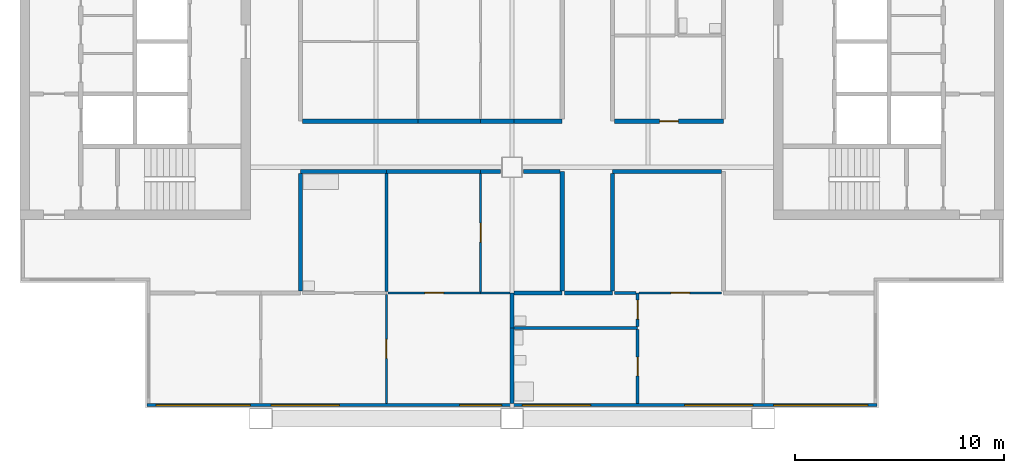
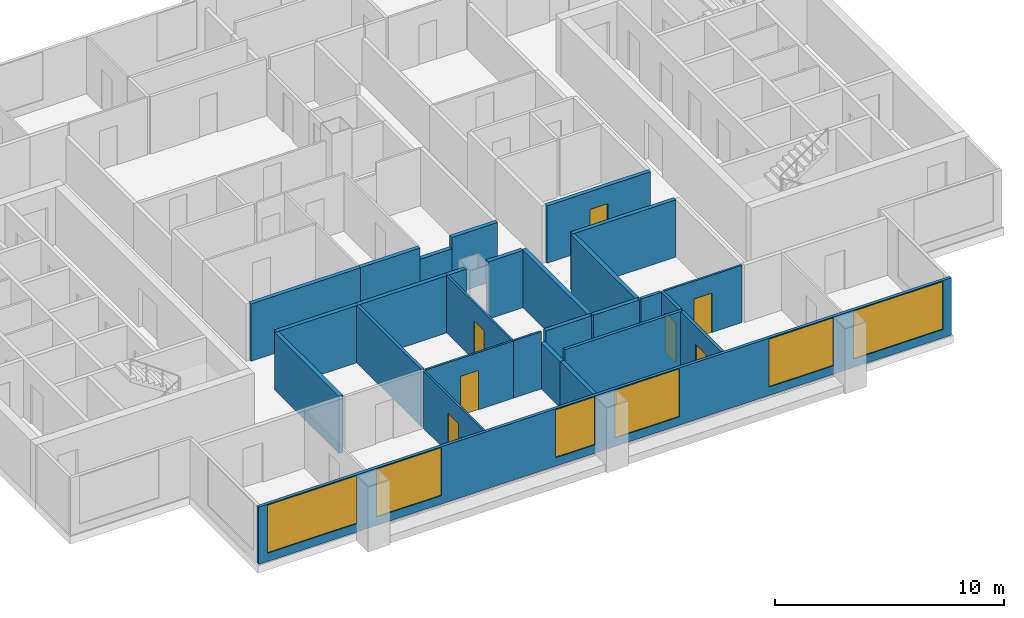
# One storey, part 2 of 9: 28 walls, 7 doors, 6 windows, 13 openings.
"""IFC4 building model written with IfcOpenShell, lengths in metres."""

from ifc_helpers import new_model, si_unit, direction, frame, frame_2d, origin, place, context, subcontext, project, spatial, rectangle, extrude, material, layer, layer_set, type_object, element, fill, save


model = new_model("IFC4")

# Units and contexts
model_context = context("Model", 3, precision=1e-05, world=origin(), true_north=direction((0.0, 1.0)))
body_context = subcontext(model_context, "Body", "Model", "MODEL_VIEW")
ifc_project = project(units=[si_unit("LENGTHUNIT", "METRE"), si_unit("AREAUNIT", "SQUARE_METRE"), si_unit("VOLUMEUNIT", "CUBIC_METRE"), si_unit("PLANEANGLEUNIT", "RADIAN"), si_unit("MASSUNIT", "GRAM", prefix="KILO")], contexts=[model_context])

# Site, building, storey
site_placement = place(None, origin())
site = spatial("IfcSite", under=ifc_project, at=site_placement, CompositionType="ELEMENT")
building_placement = place(site_placement, origin())
building = spatial("IfcBuilding", under=site, at=building_placement, Name="Kitamizu Gate Tower and Museum", CompositionType="ELEMENT")
storey_placement = place(building_placement, frame((0.0, 0.0, 224.85009765625)))
storey = spatial("IfcBuildingStorey", under=building, at=storey_placement, Name="L60", CompositionType="ELEMENT", Elevation=224.85009765625)

# Wall, opening, door
ifc_material_1 = material(Name="Gypsum board on galvanised stud")
ifc_layer_1 = layer(ifc_material_1, 0.10009765625)
ifc_layer_set_1 = layer_set([ifc_layer_1], Name="Gypsum board on galvanised stud")
wall_type_1 = type_object("IfcWallType", Name="Partition 100 NOT RATED", PredefinedType="PARTITIONING", material=ifc_layer_set_1)
wall_1_placement = place(storey_placement, frame((30.0, 12.719970703125, 0.0), z_axis=(0.0, 0.0, 1.0), x_axis=(0.0, 1.0, 0.0)))
wall_1 = element("IfcWall", 1, at=wall_1_placement, inside=storey, type_object=wall_type_1, Name="Partition L60-003", PredefinedType="PARTITIONING", context=body_context, shape_type="SweptSolid", body=[
    extrude(rectangle(XDim=5.205078125, YDim=0.10009765625, at=frame_2d((2.6025390625, 0.0))), origin(), (0.0, 0.0, 1.0), 3.0498046875),
])
opening_1_placement = place(wall_1_placement, frame((2.152587890625, 0.0, 0.0)))
opening_1 = element("IfcOpeningElement", 2, at=opening_1_placement, cuts=wall_1, Name="Opening L60-003", PredefinedType="OPENING", context=body_context, shape_type="SweptSolid", body=[
    extrude(rectangle(XDim=0.89990234375, YDim=2.10009765625, at=frame_2d((0.449951171875, 1.050048828125))), frame((0.0, 0.06005859375, 0.0), z_axis=(0.0, -1.0, 0.0), x_axis=(1.0, 0.0, 0.0)), (0.0, 0.0, 1.0), 0.1201171875),
])
ifc_material_2 = material(Name="Timber door set", Category="wood")
door_type_1 = type_object("IfcDoorType", Name="Room door 900", OperationType="NOTDEFINED", PredefinedType="DOOR", material=ifc_material_2)
door_1_placement = place(opening_1_placement, origin())
door_1 = element("IfcDoor", 3, at=door_1_placement, inside=storey, type_object=door_type_1, Name="Door L60-003", OperationType="SINGLE_SWING_RIGHT", OverallHeight=2.10009765625, OverallWidth=0.89990234375, PredefinedType="DOOR", context=body_context, shape_type="SweptSolid", body=[
    extrude(rectangle(XDim=0.89990234375, YDim=2.10009765625, at=frame_2d((0.449951171875, 1.050048828125))), frame((0.0, 0.02490234375, 0.0), z_axis=(0.0, -1.0, 0.0), x_axis=(1.0, 0.0, 0.0)), (0.0, 0.0, 1.0), 0.050048828125),
])
fill(opening_1, door_1)

wall_2_placement = place(storey_placement, frame((34.5, 18.0, 0.0), z_axis=(0.0, 0.0, 1.0), x_axis=(-1.0, 0.0, 0.0)))
wall_2 = element("IfcWall", 4, at=wall_2_placement, inside=storey, type_object=wall_type_1, Name="Partition L60-006", PredefinedType="PARTITIONING", context=body_context, shape_type="SweptSolid", body=[
    extrude(rectangle(XDim=4.425048828125, YDim=0.10009765625, at=frame_2d((2.21240234375, 0.0))), origin(), (0.0, 0.0, 1.0), 3.0498046875),
])
opening_2_placement = place(wall_2_placement, frame((1.762451171875, 0.0, 0.0)))
opening_2 = element("IfcOpeningElement", 5, at=opening_2_placement, cuts=wall_2, Name="Opening L60-005", PredefinedType="OPENING", context=body_context, shape_type="SweptSolid", body=[
    extrude(rectangle(XDim=0.89990234375, YDim=2.10009765625, at=frame_2d((0.449951171875, 1.050048828125))), frame((0.0, 0.06005859375, 0.0), z_axis=(0.0, -1.0, 0.0), x_axis=(1.0, 0.0, 0.0)), (0.0, 0.0, 1.0), 0.1201171875),
])
door_2_placement = place(opening_2_placement, frame((0.89990234375, 0.0, 0.0), x_axis=(-1.0, 0.0, 0.0)))
door_2 = element("IfcDoor", 6, at=door_2_placement, inside=storey, type_object=door_type_1, Name="Door L60-005", OperationType="SINGLE_SWING_LEFT", OverallHeight=2.10009765625, OverallWidth=0.89990234375, PredefinedType="DOOR", context=body_context, shape_type="SweptSolid", body=[
    extrude(rectangle(XDim=0.89990234375, YDim=2.10009765625, at=frame_2d((0.449951171875, 1.050048828125))), frame((0.0, 0.02490234375, 0.0), z_axis=(0.0, -1.0, 0.0), x_axis=(1.0, 0.0, 0.0)), (0.0, 0.0, 1.0), 0.050048828125),
])
fill(opening_2, door_2)

# Wall
wall_3_placement = place(storey_placement, frame((35.89990234375, 18.0, 0.0), z_axis=(0.0, 0.0, 1.0), x_axis=(-1.0, 0.0, 0.0)))
element("IfcWall", 7, at=wall_3_placement, inside=storey, type_object=wall_type_1, Name="Partition L60-007", PredefinedType="PARTITIONING", context=body_context, shape_type="SweptSolid", body=[
    extrude(rectangle(XDim=1.39990234375, YDim=0.10009765625, at=frame_2d((0.699951171875, 0.0))), origin(), (0.0, 0.0, 1.0), 3.0498046875),
])

# Wall, opening, door
wall_4_placement = place(storey_placement, frame((34.5, 18.050048828125, 0.0), z_axis=(0.0, 0.0, 1.0), x_axis=(0.0, 1.0, 0.0)))
wall_4 = element("IfcWall", 8, at=wall_4_placement, inside=storey, type_object=wall_type_1, Name="Partition L60-013", PredefinedType="PARTITIONING", context=body_context, shape_type="SweptSolid", body=[
    extrude(rectangle(XDim=5.64990234375, YDim=0.10009765625, at=frame_2d((2.824951171875, 0.0))), origin(), (0.0, 0.0, 1.0), 3.0498046875),
])
opening_3_placement = place(wall_4_placement, frame((2.375, 0.0, 0.0)))
opening_3 = element("IfcOpeningElement", 9, at=opening_3_placement, cuts=wall_4, Name="Opening L60-006", PredefinedType="OPENING", context=body_context, shape_type="SweptSolid", body=[
    extrude(rectangle(XDim=0.89990234375, YDim=2.10009765625, at=frame_2d((0.449951171875, 1.050048828125))), frame((0.0, 0.06005859375, 0.0), z_axis=(0.0, -1.0, 0.0), x_axis=(1.0, 0.0, 0.0)), (0.0, 0.0, 1.0), 0.1201171875),
])
door_3_placement = place(opening_3_placement, frame((0.89990234375, 0.0, 0.0), x_axis=(-1.0, 0.0, 0.0)))
door_3 = element("IfcDoor", 10, at=door_3_placement, inside=storey, type_object=door_type_1, Name="Door L60-006", OperationType="SINGLE_SWING_RIGHT", OverallHeight=2.10009765625, OverallWidth=0.89990234375, PredefinedType="DOOR", context=body_context, shape_type="SweptSolid", body=[
    extrude(rectangle(XDim=0.89990234375, YDim=2.10009765625, at=frame_2d((0.449951171875, 1.050048828125))), frame((0.0, 0.02490234375, 0.0), z_axis=(0.0, -1.0, 0.0), x_axis=(1.0, 0.0, 0.0)), (0.0, 0.0, 1.0), 0.050048828125),
])
fill(opening_3, door_3)

wall_5_placement = place(storey_placement, frame((46.0, 18.0, 0.0), z_axis=(0.0, 0.0, 1.0), x_axis=(-1.0, 0.0, 0.0)))
wall_5 = element("IfcWall", 11, at=wall_5_placement, inside=storey, type_object=wall_type_1, Name="Partition L60-025", PredefinedType="PARTITIONING", context=body_context, shape_type="SweptSolid", body=[
    extrude(rectangle(XDim=3.925048828125, YDim=0.10009765625, at=frame_2d((1.96240234375, 0.0))), origin(), (0.0, 0.0, 1.0), 3.0498046875),
])
opening_4_placement = place(wall_5_placement, frame((1.512451171875, 0.0, 0.0)))
opening_4 = element("IfcOpeningElement", 12, at=opening_4_placement, cuts=wall_5, Name="Opening L60-009", PredefinedType="OPENING", context=body_context, shape_type="SweptSolid", body=[
    extrude(rectangle(XDim=0.89990234375, YDim=2.10009765625, at=frame_2d((0.449951171875, 1.050048828125))), frame((0.0, 0.06005859375, 0.0), z_axis=(0.0, -1.0, 0.0), x_axis=(1.0, 0.0, 0.0)), (0.0, 0.0, 1.0), 0.1201171875),
])
door_4_placement = place(opening_4_placement, frame((0.89990234375, 0.0, 0.0), x_axis=(-1.0, 0.0, 0.0)))
door_4 = element("IfcDoor", 13, at=door_4_placement, inside=storey, type_object=door_type_1, Name="Door L60-009", OperationType="SINGLE_SWING_LEFT", OverallHeight=2.10009765625, OverallWidth=0.89990234375, PredefinedType="DOOR", context=body_context, shape_type="SweptSolid", body=[
    extrude(rectangle(XDim=0.89990234375, YDim=2.10009765625, at=frame_2d((0.449951171875, 1.050048828125))), frame((0.0, 0.02490234375, 0.0), z_axis=(0.0, -1.0, 0.0), x_axis=(1.0, 0.0, 0.0)), (0.0, 0.0, 1.0), 0.050048828125),
])
fill(opening_4, door_4)

# Walls
ifc_material_3 = material(Name="Gypsum board on galvanised stud")
ifc_layer_2 = layer(ifc_material_3, 0.14990234375)
ifc_layer_set_2 = layer_set([ifc_layer_2], Name="Gypsum board on galvanised stud")
wall_type_2 = type_object("IfcWallType", Name="Partition 150", PredefinedType="PARTITIONING", material=ifc_layer_set_2)
wall_6_placement = place(storey_placement, frame((30.0, 18.074951171875, 0.0), z_axis=(0.0, 0.0, 1.0), x_axis=(0.0, 1.0, 0.0)))
element("IfcWall", 14, at=wall_6_placement, inside=storey, type_object=wall_type_2, Name="Partition L60-010", PredefinedType="PARTITIONING", context=body_context, shape_type="SweptSolid", body=[
    extrude(rectangle(XDim=5.625, YDim=0.14990234375, at=frame_2d((2.8125, 0.0))), origin(), (0.0, 0.0, 1.0), 3.0498046875),
])
wall_7_placement = place(storey_placement, frame((42.0, 16.320068359375, 0.0), z_axis=(0.0, 0.0, 1.0), x_axis=(-1.0, 0.0, 0.0)))
element("IfcWall", 15, at=wall_7_placement, inside=storey, type_object=wall_type_2, Name="Partition L60-019", PredefinedType="PARTITIONING", context=body_context, shape_type="SweptSolid", body=[
    extrude(rectangle(XDim=5.89990234375, YDim=0.14990234375, at=frame_2d((2.949951171875, 0.0))), origin(), (0.0, 0.0, 1.0), 3.0498046875),
])

# Wall, opening, door
wall_8_placement = place(storey_placement, frame((42.0, 12.719970703125, 0.0), z_axis=(0.0, 0.0, 1.0), x_axis=(0.0, 1.0, 0.0)))
wall_8 = element("IfcWall", 16, at=wall_8_placement, inside=storey, type_object=wall_type_2, Name="Partition L60-020", PredefinedType="PARTITIONING", context=body_context, shape_type="SweptSolid", body=[
    extrude(rectangle(XDim=3.525146484375, YDim=0.14990234375, at=frame_2d((1.7626953125, 0.0))), origin(), (0.0, 0.0, 1.0), 3.0498046875),
])
opening_5_placement = place(wall_8_placement, frame((1.3125, 0.0, 0.0)))
opening_5 = element("IfcOpeningElement", 17, at=opening_5_placement, cuts=wall_8, Name="Opening L60-010", PredefinedType="OPENING", context=body_context, shape_type="SweptSolid", body=[
    extrude(rectangle(XDim=0.89990234375, YDim=2.10009765625, at=frame_2d((0.449951171875, 1.050048828125))), frame((0.0, 0.0849609375, 0.0), z_axis=(0.0, -1.0, 0.0), x_axis=(1.0, 0.0, 0.0)), (0.0, 0.0, 1.0), 0.169921875),
])
ifc_material_4 = material(Name="Timber door set", Category="wood")
door_type_2 = type_object("IfcDoorType", Name="Bathroom door 900", OperationType="NOTDEFINED", PredefinedType="DOOR", material=ifc_material_4)
door_5_placement = place(opening_5_placement, origin())
door_5 = element("IfcDoor", 18, at=door_5_placement, inside=storey, type_object=door_type_2, Name="Bathroom door L60-010", OperationType="SINGLE_SWING_LEFT", OverallHeight=2.10009765625, OverallWidth=0.89990234375, PredefinedType="DOOR", context=body_context, shape_type="SweptSolid", body=[
    extrude(rectangle(XDim=0.89990234375, YDim=2.10009765625, at=frame_2d((0.449951171875, 1.050048828125))), frame((0.0, 0.02490234375, 0.0), z_axis=(0.0, -1.0, 0.0), x_axis=(1.0, 0.0, 0.0)), (0.0, 0.0, 1.0), 0.050048828125),
])
fill(opening_5, door_5)

wall_9_placement = place(storey_placement, frame((42.0, 16.39501953125, 0.0), z_axis=(0.0, 0.0, 1.0), x_axis=(0.0, 1.0, 0.0)))
wall_9 = element("IfcWall", 19, at=wall_9_placement, inside=storey, type_object=wall_type_2, Name="Partition L60-021", PredefinedType="PARTITIONING", context=body_context, shape_type="SweptSolid", body=[
    extrude(rectangle(XDim=1.60498046875, YDim=0.14990234375, at=frame_2d((0.802490234375, 0.0))), origin(), (0.0, 0.0, 1.0), 3.0498046875),
])
opening_6_placement = place(wall_9_placement, frame((0.3525390625, 0.0, 0.0)))
opening_6 = element("IfcOpeningElement", 20, at=opening_6_placement, cuts=wall_9, Name="Opening L60-011", PredefinedType="OPENING", context=body_context, shape_type="SweptSolid", body=[
    extrude(rectangle(XDim=0.89990234375, YDim=2.10009765625, at=frame_2d((0.449951171875, 1.050048828125))), frame((0.0, 0.0849609375, 0.0), z_axis=(0.0, -1.0, 0.0), x_axis=(1.0, 0.0, 0.0)), (0.0, 0.0, 1.0), 0.169921875),
])
door_6_placement = place(opening_6_placement, origin())
door_6 = element("IfcDoor", 21, at=door_6_placement, inside=storey, type_object=door_type_2, Name="Bathroom door L60-011", OperationType="SINGLE_SWING_RIGHT", OverallHeight=2.10009765625, OverallWidth=0.89990234375, PredefinedType="DOOR", context=body_context, shape_type="SweptSolid", body=[
    extrude(rectangle(XDim=0.89990234375, YDim=2.10009765625, at=frame_2d((0.449951171875, 1.050048828125))), frame((0.0, 0.02490234375, 0.0), z_axis=(0.0, -1.0, 0.0), x_axis=(1.0, 0.0, 0.0)), (0.0, 0.0, 1.0), 0.050048828125),
])
fill(opening_6, door_6)

# Walls
wall_10_placement = place(storey_placement, frame((41.925048828125, 18.0, 0.0), z_axis=(0.0, 0.0, 1.0), x_axis=(-1.0, 0.0, 0.0)))
element("IfcWall", 22, at=wall_10_placement, inside=storey, type_object=wall_type_2, Name="Partition L60-022", PredefinedType="PARTITIONING", context=body_context, shape_type="SweptSolid", body=[
    extrude(rectangle(XDim=1.025146484375, YDim=0.14990234375, at=frame_2d((0.5126953125, 0.0))), origin(), (0.0, 0.0, 1.0), 3.0498046875),
])
ifc_material_5 = material(Name="Gypsum board on galvanised stud")
ifc_layer_3 = layer(ifc_material_5, 0.199951171875)
ifc_layer_set_3 = layer_set([ifc_layer_3], Name="Gypsum board on galvanised stud")
wall_type_3 = type_object("IfcWallType", Name="Partition 200", PredefinedType="PARTITIONING", material=ifc_layer_set_3)
wall_11_placement = place(storey_placement, frame((36.0, 12.719970703125, 0.0), z_axis=(0.0, 0.0, 1.0), x_axis=(0.0, 1.0, 0.0)))
element("IfcWall", 23, at=wall_11_placement, inside=storey, type_object=wall_type_3, Name="Partition L60-008", PredefinedType="PARTITIONING", context=body_context, shape_type="SweptSolid", body=[
    extrude(rectangle(XDim=3.60009765625, YDim=0.199951171875, at=frame_2d((1.800048828125, 0.0))), origin(), (0.0, 0.0, 1.0), 2.449951171875),
])
wall_12_placement = place(storey_placement, frame((36.0, 16.320068359375, 0.0), z_axis=(0.0, 0.0, 1.0), x_axis=(0.0, 1.0, 0.0)))
element("IfcWall", 24, at=wall_12_placement, inside=storey, type_object=wall_type_3, Name="Partition L60-009", PredefinedType="PARTITIONING", context=body_context, shape_type="SweptSolid", body=[
    extrude(rectangle(XDim=1.679931640625, YDim=0.199951171875, at=frame_2d((0.83984375, 0.0))), origin(), (0.0, 0.0, 1.0), 2.449951171875),
])
wall_13_placement = place(storey_placement, frame((30.0, 23.800048828125, 0.0), z_axis=(0.0, 0.0, 1.0), x_axis=(-1.0, 0.0, 0.0)))
element("IfcWall", 25, at=wall_13_placement, inside=storey, type_object=wall_type_3, Name="Partition L60-011", PredefinedType="PARTITIONING", context=body_context, shape_type="SweptSolid", body=[
    extrude(rectangle(XDim=4.10009765625, YDim=0.199951171875, at=frame_2d((2.050048828125, 0.0))), origin(), (0.0, 0.0, 1.0), 3.0498046875),
])
wall_14_placement = place(storey_placement, frame((25.89990234375, 23.699951171875, 0.0), z_axis=(0.0, 0.0, 1.0), x_axis=(0.0, -1.0, 0.0)))
element("IfcWall", 26, at=wall_14_placement, inside=storey, type_object=wall_type_3, Name="Partition L60-012", PredefinedType="PARTITIONING", context=body_context, shape_type="SweptSolid", body=[
    extrude(rectangle(XDim=5.599853515625, YDim=0.199951171875, at=frame_2d((2.7998046875, 0.0))), origin(), (0.0, 0.0, 1.0), 3.0498046875),
])
wall_15_placement = place(storey_placement, frame((34.5, 23.800048828125, 0.0), z_axis=(0.0, 0.0, 1.0), x_axis=(-1.0, 0.0, 0.0)))
element("IfcWall", 27, at=wall_15_placement, inside=storey, type_object=wall_type_3, Name="Partition L60-014", PredefinedType="PARTITIONING", context=body_context, shape_type="SweptSolid", body=[
    extrude(rectangle(XDim=4.5, YDim=0.199951171875, at=frame_2d((2.25, 0.0))), origin(), (0.0, 0.0, 1.0), 3.0498046875),
])
wall_16_placement = place(storey_placement, frame((36.10009765625, 18.0, 0.0), z_axis=(0.0, 0.0, 1.0), x_axis=(1.0, 0.0, 0.0)))
element("IfcWall", 28, at=wall_16_placement, inside=storey, type_object=wall_type_3, Name="Partition L60-015", PredefinedType="PARTITIONING", context=body_context, shape_type="SweptSolid", body=[
    extrude(rectangle(XDim=2.2998046875, YDim=0.199951171875, at=frame_2d((1.14990234375, 0.0))), origin(), (0.0, 0.0, 1.0), 3.0498046875),
])
wall_17_placement = place(storey_placement, frame((35.449951171875, 23.800048828125, 0.0), z_axis=(0.0, 0.0, 1.0), x_axis=(-1.0, 0.0, 0.0)))
element("IfcWall", 29, at=wall_17_placement, inside=storey, type_object=wall_type_3, Name="Partition L60-016", PredefinedType="PARTITIONING", context=body_context, shape_type="SweptSolid", body=[
    extrude(rectangle(XDim=0.949951171875, YDim=0.199951171875, at=frame_2d((0.47509765625, 0.0))), origin(), (0.0, 0.0, 1.0), 3.0498046875),
])
wall_18_placement = place(storey_placement, frame((38.39990234375, 18.10009765625, 0.0), z_axis=(0.0, 0.0, 1.0), x_axis=(0.0, 1.0, 0.0)))
element("IfcWall", 30, at=wall_18_placement, inside=storey, type_object=wall_type_3, Name="Partition L60-017", PredefinedType="PARTITIONING", context=body_context, shape_type="SweptSolid", body=[
    extrude(rectangle(XDim=5.699951171875, YDim=0.199951171875, at=frame_2d((2.85009765625, 0.0))), origin(), (0.0, 0.0, 1.0), 3.0498046875),
])
wall_19_placement = place(storey_placement, frame((38.300048828125, 23.800048828125, 0.0), z_axis=(0.0, 0.0, 1.0), x_axis=(-1.0, 0.0, 0.0)))
element("IfcWall", 31, at=wall_19_placement, inside=storey, type_object=wall_type_3, Name="Partition L60-018", PredefinedType="PARTITIONING", context=body_context, shape_type="SweptSolid", body=[
    extrude(rectangle(XDim=1.75, YDim=0.199951171875, at=frame_2d((0.875, 0.0))), origin(), (0.0, 0.0, 1.0), 3.0498046875),
])
wall_20_placement = place(storey_placement, frame((40.800048828125, 18.0, 0.0), z_axis=(0.0, 0.0, 1.0), x_axis=(-1.0, 0.0, 0.0)))
element("IfcWall", 32, at=wall_20_placement, inside=storey, type_object=wall_type_3, Name="Partition L60-023", PredefinedType="PARTITIONING", context=body_context, shape_type="SweptSolid", body=[
    extrude(rectangle(XDim=2.300048828125, YDim=0.199951171875, at=frame_2d((1.14990234375, 0.0))), origin(), (0.0, 0.0, 1.0), 3.0498046875),
])
wall_21_placement = place(storey_placement, frame((46.0, 23.800048828125, 0.0), z_axis=(0.0, 0.0, 1.0), x_axis=(-1.0, 0.0, 0.0)))
element("IfcWall", 33, at=wall_21_placement, inside=storey, type_object=wall_type_3, Name="Partition L60-029", PredefinedType="PARTITIONING", context=body_context, shape_type="SweptSolid", body=[
    extrude(rectangle(XDim=5.199951171875, YDim=0.199951171875, at=frame_2d((2.60009765625, 0.0))), origin(), (0.0, 0.0, 1.0), 3.0498046875),
])
wall_22_placement = place(storey_placement, frame((40.800048828125, 23.699951171875, 0.0), z_axis=(0.0, 0.0, 1.0), x_axis=(0.0, -1.0, 0.0)))
element("IfcWall", 34, at=wall_22_placement, inside=storey, type_object=wall_type_3, Name="Partition L60-030", PredefinedType="PARTITIONING", context=body_context, shape_type="SweptSolid", body=[
    extrude(rectangle(XDim=5.599853515625, YDim=0.199951171875, at=frame_2d((2.7998046875, 0.0))), origin(), (0.0, 0.0, 1.0), 3.0498046875),
])
wall_23_placement = place(storey_placement, frame((26.0, 26.199951171875, 0.0), z_axis=(0.0, 0.0, 1.0), x_axis=(1.0, 0.0, 0.0)))
element("IfcWall", 35, at=wall_23_placement, inside=storey, type_object=wall_type_3, Name="Partition L60-063", PredefinedType="PARTITIONING", context=body_context, shape_type="SweptSolid", body=[
    extrude(rectangle(XDim=5.5, YDim=0.199951171875, at=frame_2d((2.75, 0.0))), origin(), (0.0, 0.0, 1.0), 3.0498046875),
])
wall_24_placement = place(storey_placement, frame((31.5, 26.199951171875, 0.0), z_axis=(0.0, 0.0, 1.0), x_axis=(1.0, 0.0, 0.0)))
element("IfcWall", 36, at=wall_24_placement, inside=storey, type_object=wall_type_3, Name="Partition L60-067", PredefinedType="PARTITIONING", context=body_context, shape_type="SweptSolid", body=[
    extrude(rectangle(XDim=3.0, YDim=0.199951171875, at=frame_2d((1.5, 0.0))), origin(), (0.0, 0.0, 1.0), 3.0498046875),
])
wall_25_placement = place(storey_placement, frame((34.5, 26.199951171875, 0.0), z_axis=(0.0, 0.0, 1.0), x_axis=(1.0, 0.0, 0.0)))
element("IfcWall", 37, at=wall_25_placement, inside=storey, type_object=wall_type_3, Name="Partition L60-068", PredefinedType="PARTITIONING", context=body_context, shape_type="SweptSolid", body=[
    extrude(rectangle(XDim=1.60009765625, YDim=0.199951171875, at=frame_2d((0.800048828125, 0.0))), origin(), (0.0, 0.0, 1.0), 2.449951171875),
])
wall_26_placement = place(storey_placement, frame((36.10009765625, 26.199951171875, 0.0), z_axis=(0.0, 0.0, 1.0), x_axis=(1.0, 0.0, 0.0)))
element("IfcWall", 38, at=wall_26_placement, inside=storey, type_object=wall_type_3, Name="Partition L60-069", PredefinedType="PARTITIONING", context=body_context, shape_type="SweptSolid", body=[
    extrude(rectangle(XDim=2.2998046875, YDim=0.199951171875, at=frame_2d((1.14990234375, 0.0))), origin(), (0.0, 0.0, 1.0), 3.0498046875),
])

# Wall, opening, door
wall_27_placement = place(storey_placement, frame((40.89990234375, 26.199951171875, 0.0), z_axis=(0.0, 0.0, 1.0), x_axis=(1.0, 0.0, 0.0)))
wall_27 = element("IfcWall", 39, at=wall_27_placement, inside=storey, type_object=wall_type_3, Name="Partition L60-093", PredefinedType="PARTITIONING", context=body_context, shape_type="SweptSolid", body=[
    extrude(rectangle(XDim=5.2001953125, YDim=0.199951171875, at=frame_2d((2.60009765625, 0.0))), origin(), (0.0, 0.0, 1.0), 3.0498046875),
])
opening_7_placement = place(wall_27_placement, frame((2.14990234375, 0.0, 0.0)))
opening_7 = element("IfcOpeningElement", 40, at=opening_7_placement, cuts=wall_27, Name="Opening L60-033", PredefinedType="OPENING", context=body_context, shape_type="SweptSolid", body=[
    extrude(rectangle(XDim=0.89990234375, YDim=2.10009765625, at=frame_2d((0.449951171875, 1.050048828125))), frame((0.0, 0.10986328125, 0.0), z_axis=(0.0, -1.0, 0.0), x_axis=(1.0, 0.0, 0.0)), (0.0, 0.0, 1.0), 0.219970703125),
])
ifc_material_6 = material(Name="Timber door set", Category="wood")
door_type_3 = type_object("IfcDoorType", Name="Store door 900", OperationType="NOTDEFINED", PredefinedType="DOOR", material=ifc_material_6)
door_7_placement = place(opening_7_placement, origin())
door_7 = element("IfcDoor", 41, at=door_7_placement, inside=storey, type_object=door_type_3, Name="Service entrance door L60-033", OperationType="SINGLE_SWING_LEFT", OverallHeight=2.10009765625, OverallWidth=0.89990234375, PredefinedType="DOOR", context=body_context, shape_type="SweptSolid", body=[
    extrude(rectangle(XDim=0.89990234375, YDim=2.10009765625, at=frame_2d((0.449951171875, 1.050048828125))), frame((0.0, 0.02490234375, 0.0), z_axis=(0.0, -1.0, 0.0), x_axis=(1.0, 0.0, 0.0)), (0.0, 0.0, 1.0), 0.050048828125),
])
fill(opening_7, door_7)

# Wall, openings, windows
ifc_material_7 = material(Name="Bronze anodised aluminium frame with insulated spandrel and tinted glass", Category="aluminium")
ifc_layer_4 = layer(ifc_material_7, 0.14990234375)
ifc_layer_set_4 = layer_set([ifc_layer_4], Name="Bronze anodised aluminium frame with insulated spandrel and tinted glass")
wall_type_4 = type_object("IfcWallType", Name="WINDOW WALL 150 BRONZE FRAME EI 30", PredefinedType="ELEMENTEDWALL", material=ifc_layer_set_4)
wall_28_placement = place(storey_placement, frame((18.56005859375, 12.635009765625, 0.0), z_axis=(0.0, 0.0, 1.0), x_axis=(1.0, 0.0, 0.0)))
wall_28 = element("IfcWall", 42, at=wall_28_placement, inside=storey, type_object=wall_type_4, Name="Window wall south L60", PredefinedType="ELEMENTEDWALL", context=body_context, shape_type="SweptSolid", body=[
    extrude(rectangle(XDim=34.8798828125, YDim=0.14990234375, at=frame_2d((17.43994140625, 0.0))), origin(), (0.0, 0.0, 1.0), 3.0498046875),
])
opening_8_placement = place(wall_28_placement, frame((0.43994140625, 0.0, 0.449951171875)))
opening_8 = element("IfcOpeningElement", 43, at=opening_8_placement, cuts=wall_28, Name="Opening W15", PredefinedType="OPENING", context=body_context, shape_type="SweptSolid", body=[
    extrude(rectangle(XDim=4.5, YDim=2.550048828125, at=frame_2d((2.25, 1.27490234375))), frame((0.0, 0.0849609375, 0.0), z_axis=(0.0, -1.0, 0.0), x_axis=(1.0, 0.0, 0.0)), (0.0, 0.0, 1.0), 0.169921875),
])
opening_9_placement = place(wall_28_placement, frame((5.93994140625, 0.0, 0.449951171875)))
opening_9 = element("IfcOpeningElement", 44, at=opening_9_placement, cuts=wall_28, Name="Opening W34", PredefinedType="OPENING", context=body_context, shape_type="SweptSolid", body=[
    extrude(rectangle(XDim=3.25, YDim=2.550048828125, at=frame_2d((1.625, 1.27490234375))), frame((0.0, 0.0849609375, 0.0), z_axis=(0.0, -1.0, 0.0), x_axis=(1.0, 0.0, 0.0)), (0.0, 0.0, 1.0), 0.169921875),
])
opening_10_placement = place(wall_28_placement, frame((14.93994140625, 0.0, 0.449951171875)))
opening_10 = element("IfcOpeningElement", 45, at=opening_10_placement, cuts=wall_28, Name="Opening W2", PredefinedType="OPENING", context=body_context, shape_type="SweptSolid", body=[
    extrude(rectangle(XDim=2.0, YDim=2.550048828125, at=frame_2d((1.0, 1.27490234375))), frame((0.0, 0.0849609375, 0.0), z_axis=(0.0, -1.0, 0.0), x_axis=(1.0, 0.0, 0.0)), (0.0, 0.0, 1.0), 0.169921875),
])
opening_11_placement = place(wall_28_placement, frame((17.93994140625, 0.0, 0.449951171875)))
opening_11 = element("IfcOpeningElement", 46, at=opening_11_placement, cuts=wall_28, Name="Opening W34", PredefinedType="OPENING", context=body_context, shape_type="SweptSolid", body=[
    extrude(rectangle(XDim=3.25, YDim=2.550048828125, at=frame_2d((1.625, 1.27490234375))), frame((0.0, 0.0849609375, 0.0), z_axis=(0.0, -1.0, 0.0), x_axis=(1.0, 0.0, 0.0)), (0.0, 0.0, 1.0), 0.169921875),
])
opening_12_placement = place(wall_28_placement, frame((25.68994140625, 0.0, 0.449951171875)))
opening_12 = element("IfcOpeningElement", 47, at=opening_12_placement, cuts=wall_28, Name="Opening W34", PredefinedType="OPENING", context=body_context, shape_type="SweptSolid", body=[
    extrude(rectangle(XDim=3.25, YDim=2.550048828125, at=frame_2d((1.625, 1.27490234375))), frame((0.0, 0.0849609375, 0.0), z_axis=(0.0, -1.0, 0.0), x_axis=(1.0, 0.0, 0.0)), (0.0, 0.0, 1.0), 0.169921875),
])
opening_13_placement = place(wall_28_placement, frame((29.93994140625, 0.0, 0.449951171875)))
opening_13 = element("IfcOpeningElement", 48, at=opening_13_placement, cuts=wall_28, Name="Opening W15", PredefinedType="OPENING", context=body_context, shape_type="SweptSolid", body=[
    extrude(rectangle(XDim=4.5, YDim=2.550048828125, at=frame_2d((2.25, 1.27490234375))), frame((0.0, 0.0849609375, 0.0), z_axis=(0.0, -1.0, 0.0), x_axis=(1.0, 0.0, 0.0)), (0.0, 0.0, 1.0), 0.169921875),
])
ifc_material_8 = material(Name="Bronze anodised aluminium frame, tinted triple glazing", Category="aluminium")
window_type_1 = type_object("IfcWindowType", Name="WINDOW 2000 x 2550 SILL 450", PartitioningType="SINGLE_PANEL", PredefinedType="WINDOW", material=ifc_material_8)
window_1_placement = place(opening_10_placement, origin())
window_1 = element("IfcWindow", 49, at=window_1_placement, inside=storey, type_object=window_type_1, Name="Window W2 L60", OverallHeight=2.550048828125, OverallWidth=2.0, PartitioningType="SINGLE_PANEL", PredefinedType="WINDOW", context=body_context, shape_type="SweptSolid", body=[
    extrude(rectangle(XDim=2.0, YDim=2.550048828125, at=frame_2d((1.0, 1.27490234375))), frame((0.0, 0.030029296875, 0.0), z_axis=(0.0, -1.0, 0.0), x_axis=(1.0, 0.0, 0.0)), (0.0, 0.0, 1.0), 0.06005859375),
])
fill(opening_10, window_1)
ifc_material_9 = material(Name="Bronze anodised aluminium frame, tinted triple glazing", Category="aluminium")
window_type_2 = type_object("IfcWindowType", Name="WINDOW 3250 x 2550 SILL 450", PartitioningType="SINGLE_PANEL", PredefinedType="WINDOW", material=ifc_material_9)
window_2_placement = place(opening_9_placement, origin())
window_2 = element("IfcWindow", 50, at=window_2_placement, inside=storey, type_object=window_type_2, Name="Window W34 L60", OverallHeight=2.550048828125, OverallWidth=3.25, PartitioningType="SINGLE_PANEL", PredefinedType="WINDOW", context=body_context, shape_type="SweptSolid", body=[
    extrude(rectangle(XDim=3.25, YDim=2.550048828125, at=frame_2d((1.625, 1.27490234375))), frame((0.0, 0.030029296875, 0.0), z_axis=(0.0, -1.0, 0.0), x_axis=(1.0, 0.0, 0.0)), (0.0, 0.0, 1.0), 0.06005859375),
])
fill(opening_9, window_2)
window_3_placement = place(opening_11_placement, origin())
window_3 = element("IfcWindow", 51, at=window_3_placement, inside=storey, type_object=window_type_2, Name="Window W34 L60", OverallHeight=2.550048828125, OverallWidth=3.25, PartitioningType="SINGLE_PANEL", PredefinedType="WINDOW", context=body_context, shape_type="SweptSolid", body=[
    extrude(rectangle(XDim=3.25, YDim=2.550048828125, at=frame_2d((1.625, 1.27490234375))), frame((0.0, 0.030029296875, 0.0), z_axis=(0.0, -1.0, 0.0), x_axis=(1.0, 0.0, 0.0)), (0.0, 0.0, 1.0), 0.06005859375),
])
fill(opening_11, window_3)
window_4_placement = place(opening_12_placement, origin())
window_4 = element("IfcWindow", 52, at=window_4_placement, inside=storey, type_object=window_type_2, Name="Window W34 L60", OverallHeight=2.550048828125, OverallWidth=3.25, PartitioningType="SINGLE_PANEL", PredefinedType="WINDOW", context=body_context, shape_type="SweptSolid", body=[
    extrude(rectangle(XDim=3.25, YDim=2.550048828125, at=frame_2d((1.625, 1.27490234375))), frame((0.0, 0.030029296875, 0.0), z_axis=(0.0, -1.0, 0.0), x_axis=(1.0, 0.0, 0.0)), (0.0, 0.0, 1.0), 0.06005859375),
])
fill(opening_12, window_4)
ifc_material_10 = material(Name="Bronze anodised aluminium frame, tinted triple glazing", Category="aluminium")
window_type_3 = type_object("IfcWindowType", Name="WINDOW 4500 x 2550 SILL 450", PartitioningType="SINGLE_PANEL", PredefinedType="WINDOW", material=ifc_material_10)
window_5_placement = place(opening_8_placement, origin())
window_5 = element("IfcWindow", 53, at=window_5_placement, inside=storey, type_object=window_type_3, Name="Window W15 L60", OverallHeight=2.550048828125, OverallWidth=4.5, PartitioningType="SINGLE_PANEL", PredefinedType="WINDOW", context=body_context, shape_type="SweptSolid", body=[
    extrude(rectangle(XDim=4.5, YDim=2.550048828125, at=frame_2d((2.25, 1.27490234375))), frame((0.0, 0.030029296875, 0.0), z_axis=(0.0, -1.0, 0.0), x_axis=(1.0, 0.0, 0.0)), (0.0, 0.0, 1.0), 0.06005859375),
])
fill(opening_8, window_5)
window_6_placement = place(opening_13_placement, origin())
window_6 = element("IfcWindow", 54, at=window_6_placement, inside=storey, type_object=window_type_3, Name="Window W15 L60", OverallHeight=2.550048828125, OverallWidth=4.5, PartitioningType="SINGLE_PANEL", PredefinedType="WINDOW", context=body_context, shape_type="SweptSolid", body=[
    extrude(rectangle(XDim=4.5, YDim=2.550048828125, at=frame_2d((2.25, 1.27490234375))), frame((0.0, 0.030029296875, 0.0), z_axis=(0.0, -1.0, 0.0), x_axis=(1.0, 0.0, 0.0)), (0.0, 0.0, 1.0), 0.06005859375),
])
fill(opening_13, window_6)

save(model, "model.ifc")
